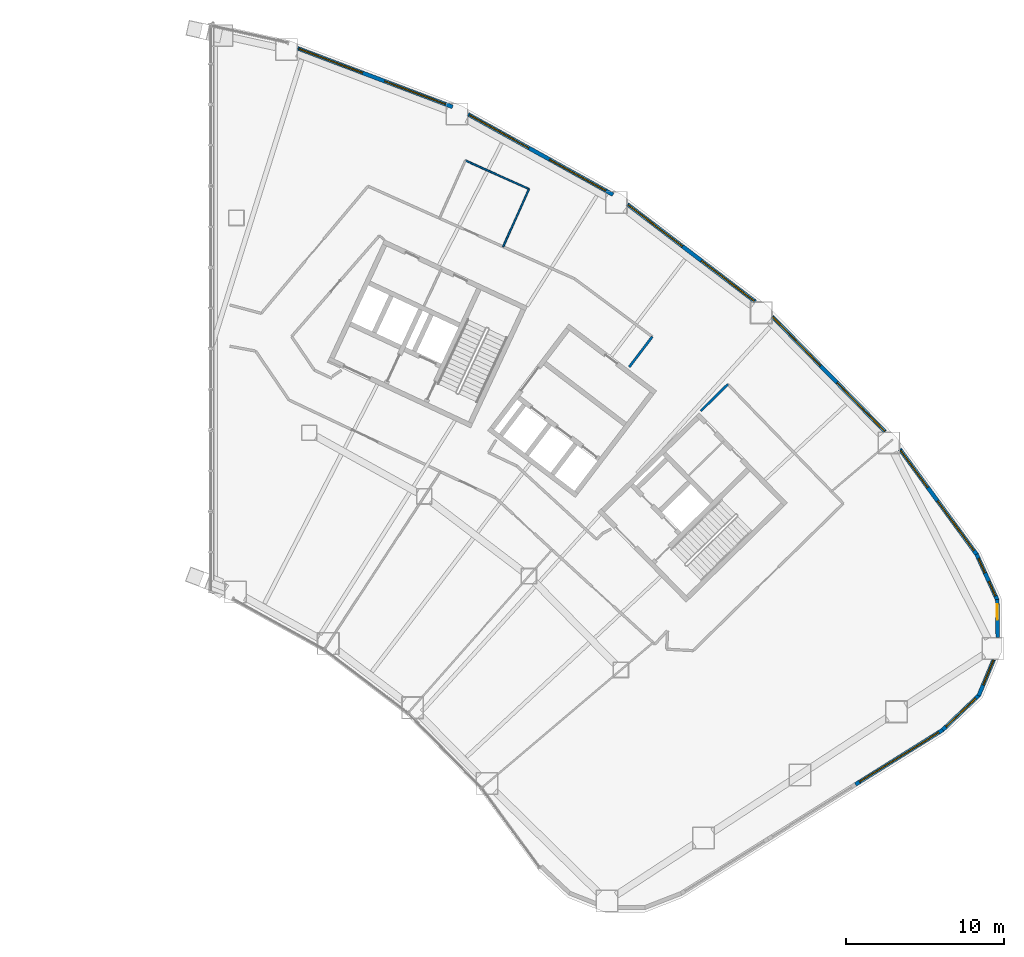
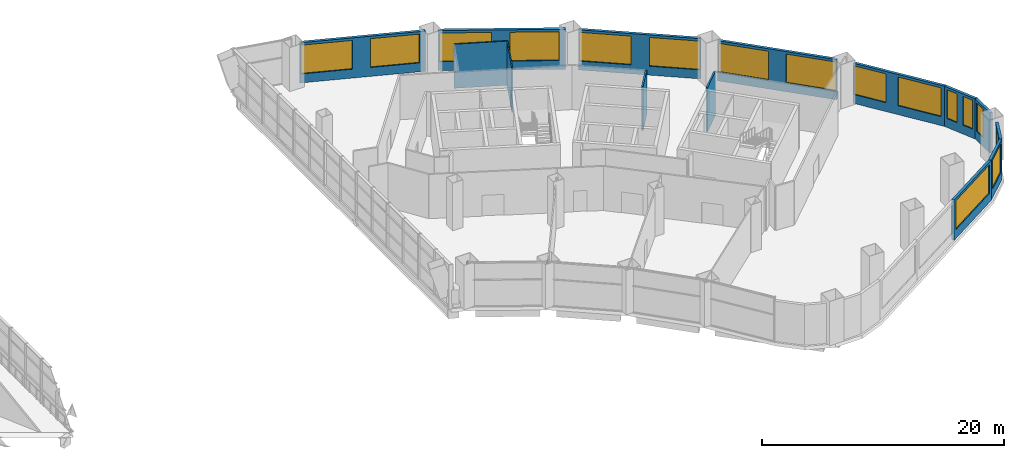
# One storey, part 23 of 26: 16 windows, 14 walls, 16 openings.
"""IFC4 building model written with IfcOpenShell, lengths in metres."""

import ifcopenshell
import ifcopenshell.guid

model = None  # the IFC model being written
_history = None  # IfcOwnerHistory: only IFC2X3 demands one
_inside = {}  # id of a spatial element -> (the spatial element, [elements in it])
_under = {}  # id of a project, library or spatial element -> (it, [spatial elements below it])
_declared = {}  # id of a project -> (the project, [libraries it declares])
_typed = {}  # id of a type object -> (the type object, [elements of that type])
_made_of = {}  # id of a material, layer set ... -> (it, [elements and type objects made of it])


def new_model(schema):
    """Start an empty IFC model of exactly this schema.

    Asked for "IFC4X3", IfcOpenShell would pick the latest addendum, in which some entities
    have other attributes; the version numbers below select the first issue.
    IFC2X3 requires an IfcOwnerHistory on every rooted entity: one is made here for all.
    """
    global model, _history
    if schema == "IFC4X3":
        model = ifcopenshell.file(schema_version=(4, 3, 0, 0))
    else:
        model = ifcopenshell.file(schema=schema)
    _inside.clear()
    _under.clear()
    _declared.clear()
    _typed.clear()
    _made_of.clear()
    _history = None
    if model.schema == "IFC2X3":
        org = make("IfcOrganization", Name="unknown")
        user = make(
            "IfcPersonAndOrganization",
            ThePerson=make("IfcPerson", FamilyName="unknown"),
            TheOrganization=org,
        )
        app = make(
            "IfcApplication",
            ApplicationDeveloper=org,
            Version="unknown",
            ApplicationFullName="unknown",
            ApplicationIdentifier="unknown",
        )
        _history = make(
            "IfcOwnerHistory",
            OwningUser=user,
            OwningApplication=app,
            ChangeAction="ADDED",
            CreationDate=0,
        )
    return model


def make(cls, **values):
    """One entity of the class cls with the attributes given. An attribute that is None is left unset."""
    return model.create_entity(
        cls, **{name: value for name, value in values.items() if value is not None}
    )


def rooted(cls, **values):
    """An entity with a GlobalId (a new one), such as an element, a storey or a relation."""
    return make(cls, GlobalId=ifcopenshell.guid.new(), OwnerHistory=_history, **values)


def si_unit(unit_type, name, prefix=None):
    """IfcSIUnit, for example si_unit("LENGTHUNIT", "METRE", prefix="MILLI")."""
    return make("IfcSIUnit", UnitType=unit_type, Prefix=prefix, Name=name)


def assignment(units):
    """IfcUnitAssignment: the units of a project."""
    return None if units is None else make("IfcUnitAssignment", Units=units)


def point(xyz):
    """IfcCartesianPoint."""
    return None if xyz is None else make("IfcCartesianPoint", Coordinates=xyz)


def direction(xyz):
    """IfcDirection."""
    return None if xyz is None else make("IfcDirection", DirectionRatios=xyz)


def frame(location, z_axis=None, x_axis=None):
    """IfcAxis2Placement3D, a coordinate frame: its origin and axes. An axis left out is left unset."""
    return make(
        "IfcAxis2Placement3D",
        Location=point(location),
        Axis=direction(z_axis),
        RefDirection=direction(x_axis),
    )


def frame_2d(location, x_axis=None):
    """IfcAxis2Placement2D, a coordinate frame in the plane: its origin and x axis."""
    return make(
        "IfcAxis2Placement2D", Location=point(location), RefDirection=direction(x_axis)
    )


def origin():
    """The frame at (0, 0, 0) with its axes left unset."""
    return frame((0.0, 0.0, 0.0))


def place(relative_to, where):
    """IfcLocalPlacement: puts the frame where relative to a parent placement (None: the world)."""
    return make(
        "IfcLocalPlacement", PlacementRelTo=relative_to, RelativePlacement=where
    )


def context(
    kind, dimensions, precision=None, world=None, true_north=None, identifier=None
):
    """IfcGeometricRepresentationContext, for example the 3D "Model" context."""
    return make(
        "IfcGeometricRepresentationContext",
        ContextIdentifier=identifier,
        ContextType=kind,
        CoordinateSpaceDimension=dimensions,
        Precision=precision,
        WorldCoordinateSystem=world,
        TrueNorth=true_north,
    )


def subcontext(parent, identifier, kind, view, scale=None):
    """IfcGeometricRepresentationSubContext, for example "Body" below "Model"."""
    return make(
        "IfcGeometricRepresentationSubContext",
        ContextIdentifier=identifier,
        ContextType=kind,
        ParentContext=parent,
        TargetScale=scale,
        TargetView=view,
    )


def project(units=None, contexts=None):
    """IfcProject with its units and contexts."""
    return rooted(
        "IfcProject",
        Name="project",
        RepresentationContexts=contexts,
        UnitsInContext=assignment(units),
    )


def spatial(cls, under=None, at=None, **own):
    """A site, building, storey or space (cls), placed at a placement, below another one or the project."""
    s = rooted(cls, ObjectPlacement=at, **own)
    if under is not None:
        _under.setdefault(under.id(), (under, []))[1].append(s)
    return s


def profile(cls, at=None, kind="AREA", **sizes):
    """A parametric profile (cls). Its sizes go by their IFC names, for example OverallWidth=200.0."""
    return make(cls, ProfileType=kind, Position=at, **sizes)


def rectangle(**sizes):
    """IfcRectangleProfileDef."""
    return profile("IfcRectangleProfileDef", **sizes)


def extrude(swept, where, along, depth):
    """IfcExtrudedAreaSolid: the profile swept, set in the frame where, extruded along a direction by depth."""
    return make(
        "IfcExtrudedAreaSolid",
        SweptArea=swept,
        Position=where,
        ExtrudedDirection=direction(along),
        Depth=depth,
    )


def shape(context_of_items, identifier, shape_type, items):
    """IfcShapeRepresentation: the items that make up one representation, for example the "Body"."""
    return make(
        "IfcShapeRepresentation",
        ContextOfItems=context_of_items,
        RepresentationIdentifier=identifier,
        RepresentationType=shape_type,
        Items=items,
    )


def material(Name=None, Category=None):
    """IfcMaterial."""
    return make("IfcMaterial", Name=Name, Category=Category)


def layer(
    of_material, thickness, ventilated=None, Name=None, Category=None, Priority=None
):
    """IfcMaterialLayer: one layer of a wall or slab, of a material (None: an air gap)."""
    return make(
        "IfcMaterialLayer",
        Material=of_material,
        LayerThickness=thickness,
        IsVentilated=ventilated,
        Name=Name,
        Category=Category,
        Priority=Priority,
    )


def layer_set(layers, Name=None):
    """IfcMaterialLayerSet."""
    return make("IfcMaterialLayerSet", MaterialLayers=layers, LayerSetName=Name)


def made_of(thing, what):
    """Note that an element or type object is made of a material, layer set ...; save() writes the relation."""
    if what is not None:
        _made_of.setdefault(what.id(), (what, []))[1].append(thing)
    return thing


def type_object(cls, material=None, **own):
    """A type object (cls), such as IfcWallType, which elements share."""
    return made_of(rooted(cls, **own), material)


def element(
    cls,
    number,
    at=None,
    inside=None,
    cuts=None,
    type_object=None,
    material=None,
    context=None,
    identifier="Body",
    shape_type=None,
    held_by="IfcProductDefinitionShape",
    body=None,
    shapes=None,
    **own,
):
    """One element of the class cls, such as IfcWall. Its Tag is "e" and its number.

    at: its placement. inside: the storey or other place that contains it. cuts: it is an
    opening in that element (IfcRelVoidsElement). A single representation is given by context,
    identifier, shape_type and body (its items); several are given by shapes. held_by: the class
    of the entity that holds the representations. save() writes the other relations.
    """
    e = rooted(cls, Tag="e%d" % number, ObjectPlacement=at, **own)
    if body is not None:
        shapes = [shape(context, identifier, shape_type, body)]
    if shapes is not None:
        e.Representation = make(held_by, Representations=shapes)
    if inside is not None:
        _inside.setdefault(inside.id(), (inside, []))[1].append(e)
    if cuts is not None:
        rooted(
            "IfcRelVoidsElement", RelatingBuildingElement=cuts, RelatedOpeningElement=e
        )
    if type_object is not None:
        _typed.setdefault(type_object.id(), (type_object, []))[1].append(e)
    return made_of(e, material)


def fill(opening, filler):
    """IfcRelFillsElement: the door or window that sits in an opening."""
    return rooted(
        "IfcRelFillsElement",
        RelatingOpeningElement=opening,
        RelatedBuildingElement=filler,
    )


def aggregate(whole, parts):
    """IfcRelAggregates: a whole, such as a stair, and the parts it consists of."""
    return rooted("IfcRelAggregates", RelatingObject=whole, RelatedObjects=parts)


def save(model, path):
    """Write the relations noted so far, then the file.

    IfcRelAggregates (storeys below a building ...), IfcRelContainedInSpatialStructure (elements
    in a storey), IfcRelDefinesByType, IfcRelAssociatesMaterial and IfcRelDeclares: one each for
    every whole, place, type object, material and project.
    """
    for whole, parts in _under.values():
        aggregate(whole, parts)
    for where, things in _inside.values():
        rooted(
            "IfcRelContainedInSpatialStructure",
            RelatedElements=things,
            RelatingStructure=where,
        )
    for kind, things in _typed.values():
        rooted("IfcRelDefinesByType", RelatedObjects=things, RelatingType=kind)
    for what, things in _made_of.values():
        rooted("IfcRelAssociatesMaterial", RelatedObjects=things, RelatingMaterial=what)
    for by, libraries in _declared.values():
        rooted("IfcRelDeclares", RelatingContext=by, RelatedDefinitions=libraries)
    model.write(path)


model = new_model("IFC4")

# Units and contexts
model_context = context("Model", 3, precision=1e-05, world=origin(), true_north=direction((0.0, 1.0)))
body_context = subcontext(model_context, "Body", "Model", "MODEL_VIEW")
ifc_project = project(units=[si_unit("LENGTHUNIT", "METRE"), si_unit("AREAUNIT", "SQUARE_METRE"), si_unit("VOLUMEUNIT", "CUBIC_METRE"), si_unit("PLANEANGLEUNIT", "RADIAN"), si_unit("MASSUNIT", "GRAM", prefix="KILO")], contexts=[model_context])

# Site, building, storey
site_placement = place(None, origin())
site = spatial("IfcSite", under=ifc_project, at=site_placement, CompositionType="ELEMENT")
building_placement = place(site_placement, origin())
building = spatial("IfcBuilding", under=site, at=building_placement, Name="Tuul Gate Civic Tower", CompositionType="ELEMENT")
storey_placement = place(building_placement, frame((0.0, 0.0, 7.5)))
storey = spatial("IfcBuildingStorey", under=building, at=storey_placement, Name="Level 01", CompositionType="ELEMENT", Elevation=7.5)

# Walls
ifc_material_1 = material(Name="Gypsum board partition")
ifc_layer_1 = layer(ifc_material_1, 0.14990234375)
ifc_layer_set_1 = layer_set([ifc_layer_1], Name="Gypsum board partition")
wall_type_1 = type_object("IfcWallType", Name="Corridor wall P150", PredefinedType="PARTITIONING", material=ifc_layer_set_1)
wall_1_placement = place(storey_placement, frame((44.510986328125, -3.52099609375, 0.0), z_axis=(0.0, 0.0, 1.0), x_axis=(0.605716895269, 0.795680239032, 0.0)))
element("IfcWall", 1, at=wall_1_placement, inside=storey, type_object=wall_type_1, Name="p054", PredefinedType="PARTITIONING", context=body_context, shape_type="SweptSolid", body=[
    extrude(rectangle(XDim=2.412353515625, YDim=0.14990234375, at=frame_2d((1.2060546875, 0.0))), origin(), (0.0, 0.0, 1.0), 4.449951171875),
])
wall_2_placement = place(storey_placement, frame((49.043212890625, -6.305908203125, 0.0), z_axis=(0.0, 0.0, 1.0), x_axis=(0.714119555899, 0.700023756656, 0.0)))
element("IfcWall", 2, at=wall_2_placement, inside=storey, type_object=wall_type_1, Name="p059", PredefinedType="PARTITIONING", context=body_context, shape_type="SweptSolid", body=[
    extrude(rectangle(XDim=2.407470703125, YDim=0.14990234375, at=frame_2d((1.20361328125, 0.0))), origin(), (0.0, 0.0, 1.0), 4.449951171875),
])

# Wall, opening, window
ifc_material_2 = material(Name="Precast concrete C40/50", Category="concrete")
ifc_layer_2 = layer(ifc_material_2, 0.25)
ifc_layer_set_2 = layer_set([ifc_layer_2], Name="Precast concrete C40/50")
wall_type_2 = type_object("IfcWallType", Name="External wall", PredefinedType="STANDARD", material=ifc_layer_set_2)
wall_3_placement = place(storey_placement, frame((64.36962890625, -26.53076171875, 0.0), z_axis=(0.0, 0.0, 1.0), x_axis=(0.722378510216, 0.69149785826, 0.0)))
wall_3 = element("IfcWall", 3, at=wall_3_placement, inside=storey, type_object=wall_type_2, Name="External wall", PredefinedType="STANDARD", context=body_context, shape_type="SweptSolid", body=[
    extrude(rectangle(XDim=3.201904296875, YDim=0.25, at=frame_2d((1.60107421875, 0.0))), origin(), (0.0, 0.0, 1.0), 4.050048828125),
])
opening_1_placement = place(wall_3_placement, frame((0.301025390625, 0.0, 0.89990234375)))
opening_1 = element("IfcOpeningElement", 4, at=opening_1_placement, cuts=wall_3, Name="Opening W8", PredefinedType="OPENING", context=body_context, shape_type="SweptSolid", body=[
    extrude(rectangle(XDim=2.60009765625, YDim=2.89990234375, at=frame_2d((1.300048828125, 1.449951171875))), frame((0.0, 0.135009765625, 0.0), z_axis=(0.0, -1.0, 0.0), x_axis=(1.0, 0.0, 0.0)), (0.0, 0.0, 1.0), 0.27001953125),
])
ifc_material_3 = material(Name="Glass", Category="glass")
window_type_1 = type_object("IfcWindowType", Name="Window W8 2600 x 2900", PartitioningType="SINGLE_PANEL", PredefinedType="WINDOW", material=ifc_material_3)
window_1_placement = place(opening_1_placement, origin())
window_1 = element("IfcWindow", 5, at=window_1_placement, inside=storey, type_object=window_type_1, Name="Window", OverallHeight=2.89990234375, OverallWidth=2.60009765625, PartitioningType="SINGLE_PANEL", PredefinedType="WINDOW", context=body_context, shape_type="SweptSolid", body=[
    extrude(rectangle(XDim=2.60009765625, YDim=2.89990234375, at=frame_2d((1.300048828125, 1.449951171875))), frame((0.0, 0.030029296875, 0.0), z_axis=(0.0, -1.0, 0.0), x_axis=(1.0, 0.0, 0.0)), (0.0, 0.0, 1.0), 0.06005859375),
])
fill(opening_1, window_1)

wall_4_placement = place(storey_placement, frame((66.653564453125, -24.35888671875, 0.0), z_axis=(0.0, 0.0, 1.0), x_axis=(0.38573160677, 0.922611038054, 0.0)))
wall_4 = element("IfcWall", 6, at=wall_4_placement, inside=storey, type_object=wall_type_2, Name="External wall", PredefinedType="STANDARD", context=body_context, shape_type="SweptSolid", body=[
    extrude(rectangle(XDim=2.484130859375, YDim=0.25, at=frame_2d((1.2421875, 0.0))), origin(), (0.0, 0.0, 1.0), 4.050048828125),
])
opening_2_placement = place(wall_4_placement, frame((0.7509765625, 0.0, 0.89990234375)))
opening_2 = element("IfcOpeningElement", 7, at=opening_2_placement, cuts=wall_4, Name="Opening W9", PredefinedType="OPENING", context=body_context, shape_type="SweptSolid", body=[
    extrude(rectangle(XDim=1.699951171875, YDim=2.89990234375, at=frame_2d((0.85009765625, 1.449951171875))), frame((0.0, 0.135009765625, 0.0), z_axis=(0.0, -1.0, 0.0), x_axis=(1.0, 0.0, 0.0)), (0.0, 0.0, 1.0), 0.27001953125),
])
ifc_material_4 = material(Name="Glass", Category="glass")
window_type_2 = type_object("IfcWindowType", Name="Window W9 1700 x 2900", PartitioningType="SINGLE_PANEL", PredefinedType="WINDOW", material=ifc_material_4)
window_2_placement = place(opening_2_placement, origin())
window_2 = element("IfcWindow", 8, at=window_2_placement, inside=storey, type_object=window_type_2, Name="Window", OverallHeight=2.89990234375, OverallWidth=1.699951171875, PartitioningType="SINGLE_PANEL", PredefinedType="WINDOW", context=body_context, shape_type="SweptSolid", body=[
    extrude(rectangle(XDim=1.699951171875, YDim=2.89990234375, at=frame_2d((0.85009765625, 1.449951171875))), frame((0.0, 0.030029296875, 0.0), z_axis=(0.0, -1.0, 0.0), x_axis=(1.0, 0.0, 0.0)), (0.0, 0.0, 1.0), 0.06005859375),
])
fill(opening_2, window_2)

wall_5_placement = place(storey_placement, frame((67.867431640625, -20.6669921875, 0.0), z_axis=(0.0, 0.0, 1.0), x_axis=(-0.014662663038, 0.999892497378, 0.0)))
wall_5 = element("IfcWall", 9, at=wall_5_placement, inside=storey, type_object=wall_type_2, Name="External wall", PredefinedType="STANDARD", context=body_context, shape_type="SweptSolid", body=[
    extrude(rectangle(XDim=2.414306640625, YDim=0.25, at=frame_2d((1.20703125, 0.0))), origin(), (0.0, 0.0, 1.0), 4.050048828125),
])
opening_3_placement = place(wall_5_placement, frame((1.11376953125, 0.0, 0.89990234375)))
opening_3 = element("IfcOpeningElement", 10, at=opening_3_placement, cuts=wall_5, Name="Opening W10", PredefinedType="OPENING", context=body_context, shape_type="SweptSolid", body=[
    extrude(rectangle(XDim=1.0, YDim=2.89990234375, at=frame_2d((0.5, 1.449951171875))), frame((0.0, 0.135009765625, 0.0), z_axis=(0.0, -1.0, 0.0), x_axis=(1.0, 0.0, 0.0)), (0.0, 0.0, 1.0), 0.27001953125),
])
ifc_material_5 = material(Name="Glass", Category="glass")
window_type_3 = type_object("IfcWindowType", Name="Window W10 1000 x 2900", PartitioningType="SINGLE_PANEL", PredefinedType="WINDOW", material=ifc_material_5)
window_3_placement = place(opening_3_placement, origin())
window_3 = element("IfcWindow", 11, at=window_3_placement, inside=storey, type_object=window_type_3, Name="Window", OverallHeight=2.89990234375, OverallWidth=1.0, PartitioningType="SINGLE_PANEL", PredefinedType="WINDOW", context=body_context, shape_type="SweptSolid", body=[
    extrude(rectangle(XDim=1.0, YDim=2.89990234375, at=frame_2d((0.5, 1.449951171875))), frame((0.0, 0.030029296875, 0.0), z_axis=(0.0, -1.0, 0.0), x_axis=(1.0, 0.0, 0.0)), (0.0, 0.0, 1.0), 0.06005859375),
])
fill(opening_3, window_3)

# Wall, openings, windows
wall_6_placement = place(storey_placement, frame((67.843017578125, -18.302490234375, 0.0), z_axis=(0.0, 0.0, 1.0), x_axis=(-0.412481289983, 0.910966072592, 0.0)))
wall_6 = element("IfcWall", 12, at=wall_6_placement, inside=storey, type_object=wall_type_2, Name="External wall", PredefinedType="STANDARD", context=body_context, shape_type="SweptSolid", body=[
    extrude(rectangle(XDim=3.2021484375, YDim=0.25, at=frame_2d((1.60107421875, 0.0))), origin(), (0.0, 0.0, 1.0), 4.050048828125),
])
opening_4_placement = place(wall_6_placement, frame((0.300537109375, 0.0, 0.89990234375)))
opening_4 = element("IfcOpeningElement", 13, at=opening_4_placement, cuts=wall_6, Name="Opening W10", PredefinedType="OPENING", context=body_context, shape_type="SweptSolid", body=[
    extrude(rectangle(XDim=1.0, YDim=2.89990234375, at=frame_2d((0.5, 1.449951171875))), frame((0.0, 0.135009765625, 0.0), z_axis=(0.0, -1.0, 0.0), x_axis=(1.0, 0.0, 0.0)), (0.0, 0.0, 1.0), 0.27001953125),
])
opening_5_placement = place(wall_6_placement, frame((1.901611328125, 0.0, 0.89990234375)))
opening_5 = element("IfcOpeningElement", 14, at=opening_5_placement, cuts=wall_6, Name="Opening W10", PredefinedType="OPENING", context=body_context, shape_type="SweptSolid", body=[
    extrude(rectangle(XDim=1.0, YDim=2.89990234375, at=frame_2d((0.5, 1.449951171875))), frame((0.0, 0.135009765625, 0.0), z_axis=(0.0, -1.0, 0.0), x_axis=(1.0, 0.0, 0.0)), (0.0, 0.0, 1.0), 0.27001953125),
])
window_4_placement = place(opening_4_placement, origin())
window_4 = element("IfcWindow", 15, at=window_4_placement, inside=storey, type_object=window_type_3, Name="Window", OverallHeight=2.89990234375, OverallWidth=1.0, PartitioningType="SINGLE_PANEL", PredefinedType="WINDOW", context=body_context, shape_type="SweptSolid", body=[
    extrude(rectangle(XDim=1.0, YDim=2.89990234375, at=frame_2d((0.5, 1.449951171875))), frame((0.0, 0.030029296875, 0.0), z_axis=(0.0, -1.0, 0.0), x_axis=(1.0, 0.0, 0.0)), (0.0, 0.0, 1.0), 0.06005859375),
])
fill(opening_4, window_4)
window_5_placement = place(opening_5_placement, origin())
window_5 = element("IfcWindow", 16, at=window_5_placement, inside=storey, type_object=window_type_3, Name="Window", OverallHeight=2.89990234375, OverallWidth=1.0, PartitioningType="SINGLE_PANEL", PredefinedType="WINDOW", context=body_context, shape_type="SweptSolid", body=[
    extrude(rectangle(XDim=1.0, YDim=2.89990234375, at=frame_2d((0.5, 1.449951171875))), frame((0.0, 0.030029296875, 0.0), z_axis=(0.0, -1.0, 0.0), x_axis=(1.0, 0.0, 0.0)), (0.0, 0.0, 1.0), 0.06005859375),
])
fill(opening_5, window_5)

wall_7_placement = place(storey_placement, frame((66.53515625, -15.40771484375, 0.0), z_axis=(0.0, 0.0, 1.0), x_axis=(-0.589883240256, 0.807488552777, 0.0)))
wall_7 = element("IfcWall", 17, at=wall_7_placement, inside=storey, type_object=wall_type_2, Name="External wall", PredefinedType="STANDARD", context=body_context, shape_type="SweptSolid", body=[
    extrude(rectangle(XDim=8.26318359375, YDim=0.25, at=frame_2d((4.131591796875, 0.0))), origin(), (0.0, 0.0, 1.0), 4.050048828125),
])
opening_6_placement = place(wall_7_placement, frame((0.309326171875, 0.0, 0.89990234375)))
opening_6 = element("IfcOpeningElement", 18, at=opening_6_placement, cuts=wall_7, Name="Opening W11", PredefinedType="OPENING", context=body_context, shape_type="SweptSolid", body=[
    extrude(rectangle(XDim=3.89990234375, YDim=2.89990234375, at=frame_2d((1.949951171875, 1.449951171875))), frame((0.0, 0.135009765625, 0.0), z_axis=(0.0, -1.0, 0.0), x_axis=(1.0, 0.0, 0.0)), (0.0, 0.0, 1.0), 0.27001953125),
])
opening_7_placement = place(wall_7_placement, frame((5.277099609375, 0.0, 0.89990234375)))
opening_7 = element("IfcOpeningElement", 19, at=opening_7_placement, cuts=wall_7, Name="Opening W83", PredefinedType="OPENING", context=body_context, shape_type="SweptSolid", body=[
    extrude(rectangle(XDim=2.89990234375, YDim=2.89990234375, at=frame_2d((1.449951171875, 1.449951171875))), frame((0.0, 0.135009765625, 0.0), z_axis=(0.0, -1.0, 0.0), x_axis=(1.0, 0.0, 0.0)), (0.0, 0.0, 1.0), 0.27001953125),
])
ifc_material_6 = material(Name="Glass", Category="glass")
window_type_4 = type_object("IfcWindowType", Name="Window W11 3900 x 2900", PartitioningType="SINGLE_PANEL", PredefinedType="WINDOW", material=ifc_material_6)
window_6_placement = place(opening_6_placement, origin())
window_6 = element("IfcWindow", 20, at=window_6_placement, inside=storey, type_object=window_type_4, Name="Window", OverallHeight=2.89990234375, OverallWidth=3.89990234375, PartitioningType="SINGLE_PANEL", PredefinedType="WINDOW", context=body_context, shape_type="SweptSolid", body=[
    extrude(rectangle(XDim=3.89990234375, YDim=2.89990234375, at=frame_2d((1.949951171875, 1.449951171875))), frame((0.0, 0.030029296875, 0.0), z_axis=(0.0, -1.0, 0.0), x_axis=(1.0, 0.0, 0.0)), (0.0, 0.0, 1.0), 0.06005859375),
])
fill(opening_6, window_6)
ifc_material_7 = material(Name="Glass", Category="glass")
window_type_5 = type_object("IfcWindowType", Name="Window W83 2900 x 2900", PartitioningType="SINGLE_PANEL", PredefinedType="WINDOW", material=ifc_material_7)
window_7_placement = place(opening_7_placement, origin())
window_7 = element("IfcWindow", 21, at=window_7_placement, inside=storey, type_object=window_type_5, Name="Window", OverallHeight=2.89990234375, OverallWidth=2.89990234375, PartitioningType="SINGLE_PANEL", PredefinedType="WINDOW", context=body_context, shape_type="SweptSolid", body=[
    extrude(rectangle(XDim=2.89990234375, YDim=2.89990234375, at=frame_2d((1.449951171875, 1.449951171875))), frame((0.0, 0.030029296875, 0.0), z_axis=(0.0, -1.0, 0.0), x_axis=(1.0, 0.0, 0.0)), (0.0, 0.0, 1.0), 0.06005859375),
])
fill(opening_7, window_7)

wall_8_placement = place(storey_placement, frame((60.72998046875, -7.6279296875, 0.0), z_axis=(0.0, 0.0, 1.0), x_axis=(-0.700010487511, 0.714132562886, 0.0)))
wall_8 = element("IfcWall", 22, at=wall_8_placement, inside=storey, type_object=wall_type_2, Name="External wall", PredefinedType="STANDARD", context=body_context, shape_type="SweptSolid", body=[
    extrude(rectangle(XDim=10.217041015625, YDim=0.25, at=frame_2d((5.1083984375, 0.0))), origin(), (0.0, 0.0, 1.0), 4.050048828125),
])
opening_8_placement = place(wall_8_placement, frame((0.05908203125, 0.0, 0.89990234375)))
opening_8 = element("IfcOpeningElement", 23, at=opening_8_placement, cuts=wall_8, Name="Opening W13", PredefinedType="OPENING", context=body_context, shape_type="SweptSolid", body=[
    extrude(rectangle(XDim=4.300048828125, YDim=2.89990234375, at=frame_2d((2.14990234375, 1.449951171875))), frame((0.0, 0.135009765625, 0.0), z_axis=(0.0, -1.0, 0.0), x_axis=(1.0, 0.0, 0.0)), (0.0, 0.0, 1.0), 0.27001953125),
])
opening_9_placement = place(wall_8_placement, frame((5.864501953125, 0.0, 0.89990234375)))
opening_9 = element("IfcOpeningElement", 24, at=opening_9_placement, cuts=wall_8, Name="Opening W13", PredefinedType="OPENING", context=body_context, shape_type="SweptSolid", body=[
    extrude(rectangle(XDim=4.300048828125, YDim=2.89990234375, at=frame_2d((2.14990234375, 1.449951171875))), frame((0.0, 0.135009765625, 0.0), z_axis=(0.0, -1.0, 0.0), x_axis=(1.0, 0.0, 0.0)), (0.0, 0.0, 1.0), 0.27001953125),
])
ifc_material_8 = material(Name="Glass", Category="glass")
window_type_6 = type_object("IfcWindowType", Name="Window W13 4300 x 2900", PartitioningType="SINGLE_PANEL", PredefinedType="WINDOW", material=ifc_material_8)
window_8_placement = place(opening_8_placement, origin())
window_8 = element("IfcWindow", 25, at=window_8_placement, inside=storey, type_object=window_type_6, Name="Window", OverallHeight=2.89990234375, OverallWidth=4.300048828125, PartitioningType="SINGLE_PANEL", PredefinedType="WINDOW", context=body_context, shape_type="SweptSolid", body=[
    extrude(rectangle(XDim=4.300048828125, YDim=2.89990234375, at=frame_2d((2.14990234375, 1.449951171875))), frame((0.0, 0.030029296875, 0.0), z_axis=(0.0, -1.0, 0.0), x_axis=(1.0, 0.0, 0.0)), (0.0, 0.0, 1.0), 0.06005859375),
])
fill(opening_8, window_8)
window_9_placement = place(opening_9_placement, origin())
window_9 = element("IfcWindow", 26, at=window_9_placement, inside=storey, type_object=window_type_6, Name="Window", OverallHeight=2.89990234375, OverallWidth=4.300048828125, PartitioningType="SINGLE_PANEL", PredefinedType="WINDOW", context=body_context, shape_type="SweptSolid", body=[
    extrude(rectangle(XDim=4.300048828125, YDim=2.89990234375, at=frame_2d((2.14990234375, 1.449951171875))), frame((0.0, 0.030029296875, 0.0), z_axis=(0.0, -1.0, 0.0), x_axis=(1.0, 0.0, 0.0)), (0.0, 0.0, 1.0), 0.06005859375),
])
fill(opening_9, window_9)

wall_9_placement = place(storey_placement, frame((52.495361328125, 0.617919921875, 0.0), z_axis=(0.0, 0.0, 1.0), x_axis=(-0.795598395873, 0.605824390796, 0.0)))
wall_9 = element("IfcWall", 27, at=wall_9_placement, inside=storey, type_object=wall_type_2, Name="External wall", PredefinedType="STANDARD", context=body_context, shape_type="SweptSolid", body=[
    extrude(rectangle(XDim=10.186279296875, YDim=0.25, at=frame_2d((5.09326171875, 0.0))), origin(), (0.0, 0.0, 1.0), 4.050048828125),
])
opening_10_placement = place(wall_9_placement, frame((0.0849609375, 0.0, 0.89990234375)))
opening_10 = element("IfcOpeningElement", 28, at=opening_10_placement, cuts=wall_9, Name="Opening W84", PredefinedType="OPENING", context=body_context, shape_type="SweptSolid", body=[
    extrude(rectangle(XDim=4.199951171875, YDim=2.89990234375, at=frame_2d((2.10009765625, 1.449951171875))), frame((0.0, 0.135009765625, 0.0), z_axis=(0.0, -1.0, 0.0), x_axis=(1.0, 0.0, 0.0)), (0.0, 0.0, 1.0), 0.27001953125),
])
opening_11_placement = place(wall_9_placement, frame((5.797607421875, 0.0, 0.89990234375)))
opening_11 = element("IfcOpeningElement", 29, at=opening_11_placement, cuts=wall_9, Name="Opening W13", PredefinedType="OPENING", context=body_context, shape_type="SweptSolid", body=[
    extrude(rectangle(XDim=4.300048828125, YDim=2.89990234375, at=frame_2d((2.14990234375, 1.449951171875))), frame((0.0, 0.135009765625, 0.0), z_axis=(0.0, -1.0, 0.0), x_axis=(1.0, 0.0, 0.0)), (0.0, 0.0, 1.0), 0.27001953125),
])
window_10_placement = place(opening_11_placement, origin())
window_10 = element("IfcWindow", 30, at=window_10_placement, inside=storey, type_object=window_type_6, Name="Window", OverallHeight=2.89990234375, OverallWidth=4.300048828125, PartitioningType="SINGLE_PANEL", PredefinedType="WINDOW", context=body_context, shape_type="SweptSolid", body=[
    extrude(rectangle(XDim=4.300048828125, YDim=2.89990234375, at=frame_2d((2.14990234375, 1.449951171875))), frame((0.0, 0.030029296875, 0.0), z_axis=(0.0, -1.0, 0.0), x_axis=(1.0, 0.0, 0.0)), (0.0, 0.0, 1.0), 0.06005859375),
])
fill(opening_11, window_10)
ifc_material_9 = material(Name="Glass", Category="glass")
window_type_7 = type_object("IfcWindowType", Name="Window W84 4200 x 2900", PartitioningType="SINGLE_PANEL", PredefinedType="WINDOW", material=ifc_material_9)
window_11_placement = place(opening_10_placement, origin())
window_11 = element("IfcWindow", 31, at=window_11_placement, inside=storey, type_object=window_type_7, Name="Window", OverallHeight=2.89990234375, OverallWidth=4.199951171875, PartitioningType="SINGLE_PANEL", PredefinedType="WINDOW", context=body_context, shape_type="SweptSolid", body=[
    extrude(rectangle(XDim=4.199951171875, YDim=2.89990234375, at=frame_2d((2.10009765625, 1.449951171875))), frame((0.0, 0.030029296875, 0.0), z_axis=(0.0, -1.0, 0.0), x_axis=(1.0, 0.0, 0.0)), (0.0, 0.0, 1.0), 0.06005859375),
])
fill(opening_10, window_11)

wall_10_placement = place(storey_placement, frame((43.48388671875, 7.39990234375, 0.0), z_axis=(0.0, 0.0, 1.0), x_axis=(-0.874646654652, 0.48476100246, 0.0)))
wall_10 = element("IfcWall", 32, at=wall_10_placement, inside=storey, type_object=wall_type_2, Name="External wall", PredefinedType="STANDARD", context=body_context, shape_type="SweptSolid", body=[
    extrude(rectangle(XDim=10.50927734375, YDim=0.25, at=frame_2d((5.254638671875, 0.0))), origin(), (0.0, 0.0, 1.0), 4.050048828125),
])
opening_12_placement = place(wall_10_placement, frame((0.5380859375, 0.0, 0.89990234375)))
opening_12 = element("IfcOpeningElement", 33, at=opening_12_placement, cuts=wall_10, Name="Opening W85", PredefinedType="OPENING", context=body_context, shape_type="SweptSolid", body=[
    extrude(rectangle(XDim=4.050048828125, YDim=2.89990234375, at=frame_2d((2.02490234375, 1.449951171875))), frame((0.0, 0.135009765625, 0.0), z_axis=(0.0, -1.0, 0.0), x_axis=(1.0, 0.0, 0.0)), (0.0, 0.0, 1.0), 0.27001953125),
])
opening_13_placement = place(wall_10_placement, frame((6.108642578125, 0.0, 0.89990234375)))
opening_13 = element("IfcOpeningElement", 34, at=opening_13_placement, cuts=wall_10, Name="Opening W13", PredefinedType="OPENING", context=body_context, shape_type="SweptSolid", body=[
    extrude(rectangle(XDim=4.300048828125, YDim=2.89990234375, at=frame_2d((2.14990234375, 1.449951171875))), frame((0.0, 0.135009765625, 0.0), z_axis=(0.0, -1.0, 0.0), x_axis=(1.0, 0.0, 0.0)), (0.0, 0.0, 1.0), 0.27001953125),
])
window_12_placement = place(opening_13_placement, origin())
window_12 = element("IfcWindow", 35, at=window_12_placement, inside=storey, type_object=window_type_6, Name="Window", OverallHeight=2.89990234375, OverallWidth=4.300048828125, PartitioningType="SINGLE_PANEL", PredefinedType="WINDOW", context=body_context, shape_type="SweptSolid", body=[
    extrude(rectangle(XDim=4.300048828125, YDim=2.89990234375, at=frame_2d((2.14990234375, 1.449951171875))), frame((0.0, 0.030029296875, 0.0), z_axis=(0.0, -1.0, 0.0), x_axis=(1.0, 0.0, 0.0)), (0.0, 0.0, 1.0), 0.06005859375),
])
fill(opening_13, window_12)
ifc_material_10 = material(Name="Glass", Category="glass")
window_type_8 = type_object("IfcWindowType", Name="Window W85 4050 x 2900", PartitioningType="SINGLE_PANEL", PredefinedType="WINDOW", material=ifc_material_10)
window_13_placement = place(opening_12_placement, origin())
window_13 = element("IfcWindow", 36, at=window_13_placement, inside=storey, type_object=window_type_8, Name="Window", OverallHeight=2.89990234375, OverallWidth=4.050048828125, PartitioningType="SINGLE_PANEL", PredefinedType="WINDOW", context=body_context, shape_type="SweptSolid", body=[
    extrude(rectangle(XDim=4.050048828125, YDim=2.89990234375, at=frame_2d((2.02490234375, 1.449951171875))), frame((0.0, 0.030029296875, 0.0), z_axis=(0.0, -1.0, 0.0), x_axis=(1.0, 0.0, 0.0)), (0.0, 0.0, 1.0), 0.06005859375),
])
fill(opening_12, window_13)

wall_11_placement = place(storey_placement, frame((33.31689453125, 12.962158203125, 0.0), z_axis=(0.0, 0.0, 1.0), x_axis=(-0.935356101005, 0.353707455833, 0.0)))
wall_11 = element("IfcWall", 37, at=wall_11_placement, inside=storey, type_object=wall_type_2, Name="External wall", PredefinedType="STANDARD", context=body_context, shape_type="SweptSolid", body=[
    extrude(rectangle(XDim=10.50390625, YDim=0.25, at=frame_2d((5.251953125, 0.0))), origin(), (0.0, 0.0, 1.0), 4.050048828125),
])
opening_14_placement = place(wall_11_placement, frame((0.4990234375, 0.0, 0.89990234375)))
opening_14 = element("IfcOpeningElement", 38, at=opening_14_placement, cuts=wall_11, Name="Opening W86", PredefinedType="OPENING", context=body_context, shape_type="SweptSolid", body=[
    extrude(rectangle(XDim=4.10009765625, YDim=2.89990234375, at=frame_2d((2.050048828125, 1.449951171875))), frame((0.0, 0.135009765625, 0.0), z_axis=(0.0, -1.0, 0.0), x_axis=(1.0, 0.0, 0.0)), (0.0, 0.0, 1.0), 0.27001953125),
])
opening_15_placement = place(wall_11_placement, frame((6.108642578125, 0.0, 0.89990234375)))
opening_15 = element("IfcOpeningElement", 39, at=opening_15_placement, cuts=wall_11, Name="Opening W13", PredefinedType="OPENING", context=body_context, shape_type="SweptSolid", body=[
    extrude(rectangle(XDim=4.300048828125, YDim=2.89990234375, at=frame_2d((2.14990234375, 1.449951171875))), frame((0.0, 0.135009765625, 0.0), z_axis=(0.0, -1.0, 0.0), x_axis=(1.0, 0.0, 0.0)), (0.0, 0.0, 1.0), 0.27001953125),
])
window_14_placement = place(opening_15_placement, origin())
window_14 = element("IfcWindow", 40, at=window_14_placement, inside=storey, type_object=window_type_6, Name="Window", OverallHeight=2.89990234375, OverallWidth=4.300048828125, PartitioningType="SINGLE_PANEL", PredefinedType="WINDOW", context=body_context, shape_type="SweptSolid", body=[
    extrude(rectangle(XDim=4.300048828125, YDim=2.89990234375, at=frame_2d((2.14990234375, 1.449951171875))), frame((0.0, 0.030029296875, 0.0), z_axis=(0.0, -1.0, 0.0), x_axis=(1.0, 0.0, 0.0)), (0.0, 0.0, 1.0), 0.06005859375),
])
fill(opening_15, window_14)
ifc_material_11 = material(Name="Glass", Category="glass")
window_type_9 = type_object("IfcWindowType", Name="Window W86 4100 x 2900", PartitioningType="SINGLE_PANEL", PredefinedType="WINDOW", material=ifc_material_11)
window_15_placement = place(opening_14_placement, origin())
window_15 = element("IfcWindow", 41, at=window_15_placement, inside=storey, type_object=window_type_9, Name="Window", OverallHeight=2.89990234375, OverallWidth=4.10009765625, PartitioningType="SINGLE_PANEL", PredefinedType="WINDOW", context=body_context, shape_type="SweptSolid", body=[
    extrude(rectangle(XDim=4.10009765625, YDim=2.89990234375, at=frame_2d((2.050048828125, 1.449951171875))), frame((0.0, 0.030029296875, 0.0), z_axis=(0.0, -1.0, 0.0), x_axis=(1.0, 0.0, 0.0)), (0.0, 0.0, 1.0), 0.06005859375),
])
fill(opening_14, window_15)

# Wall, opening, window
wall_12_placement = place(storey_placement, frame((58.8525390625, -29.975341796875, 0.0), z_axis=(0.0, 0.0, 1.0), x_axis=(0.84801510827, 0.529972052232, 0.0)))
wall_12 = element("IfcWall", 42, at=wall_12_placement, inside=storey, type_object=wall_type_2, Name="External wall", PredefinedType="STANDARD", context=body_context, shape_type="SweptSolid", body=[
    extrude(rectangle(XDim=6.529541015625, YDim=0.25, at=frame_2d((3.2646484375, 0.0))), origin(), (0.0, 0.0, 1.0), 4.050048828125),
])
opening_16_placement = place(wall_12_placement, frame((0.314697265625, 0.0, 0.89990234375)))
opening_16 = element("IfcOpeningElement", 43, at=opening_16_placement, cuts=wall_12, Name="Opening W14", PredefinedType="OPENING", context=body_context, shape_type="SweptSolid", body=[
    extrude(rectangle(XDim=5.89990234375, YDim=2.89990234375, at=frame_2d((2.949951171875, 1.449951171875))), frame((0.0, 0.135009765625, 0.0), z_axis=(0.0, -1.0, 0.0), x_axis=(1.0, 0.0, 0.0)), (0.0, 0.0, 1.0), 0.27001953125),
])
ifc_material_12 = material(Name="Glass", Category="glass")
window_type_10 = type_object("IfcWindowType", Name="Window W14 5900 x 2900", PartitioningType="SINGLE_PANEL", PredefinedType="WINDOW", material=ifc_material_12)
window_16_placement = place(opening_16_placement, origin())
window_16 = element("IfcWindow", 44, at=window_16_placement, inside=storey, type_object=window_type_10, Name="Window", OverallHeight=2.89990234375, OverallWidth=5.89990234375, PartitioningType="SINGLE_PANEL", PredefinedType="WINDOW", context=body_context, shape_type="SweptSolid", body=[
    extrude(rectangle(XDim=5.89990234375, YDim=2.89990234375, at=frame_2d((2.949951171875, 1.449951171875))), frame((0.0, 0.030029296875, 0.0), z_axis=(0.0, -1.0, 0.0), x_axis=(1.0, 0.0, 0.0)), (0.0, 0.0, 1.0), 0.06005859375),
])
fill(opening_16, window_16)

# Walls
ifc_material_13 = material(Name="Gypsum board partition")
ifc_layer_3 = layer(ifc_material_13, 0.10009765625)
ifc_layer_set_3 = layer_set([ifc_layer_3], Name="Gypsum board partition")
wall_type_3 = type_object("IfcWallType", Name="Partition P100", PredefinedType="PARTITIONING", material=ifc_layer_set_3)
wall_13_placement = place(storey_placement, frame((34.124267578125, 9.56640625, 0.0), z_axis=(0.0, 0.0, 1.0), x_axis=(0.912549844484, -0.408965501396, 0.0)))
element("IfcWall", 45, at=wall_13_placement, inside=storey, type_object=wall_type_3, Name="p003", PredefinedType="PARTITIONING", context=body_context, shape_type="SweptSolid", body=[
    extrude(rectangle(XDim=4.419921875, YDim=0.10009765625, at=frame_2d((2.2099609375, 0.0))), origin(), (0.0, 0.0, 1.0), 4.449951171875),
])
wall_14_placement = place(storey_placement, frame((36.517578125, 4.099609375, 0.0), z_axis=(0.0, 0.0, 1.0), x_axis=(0.409017444451, 0.912526564071, 0.0)))
element("IfcWall", 46, at=wall_14_placement, inside=storey, type_object=wall_type_3, Name="p004", PredefinedType="PARTITIONING", context=body_context, shape_type="SweptSolid", body=[
    extrude(rectangle(XDim=4.010009765625, YDim=0.10009765625, at=frame_2d((2.0048828125, 0.0))), origin(), (0.0, 0.0, 1.0), 4.449951171875),
])

save(model, "model.ifc")
